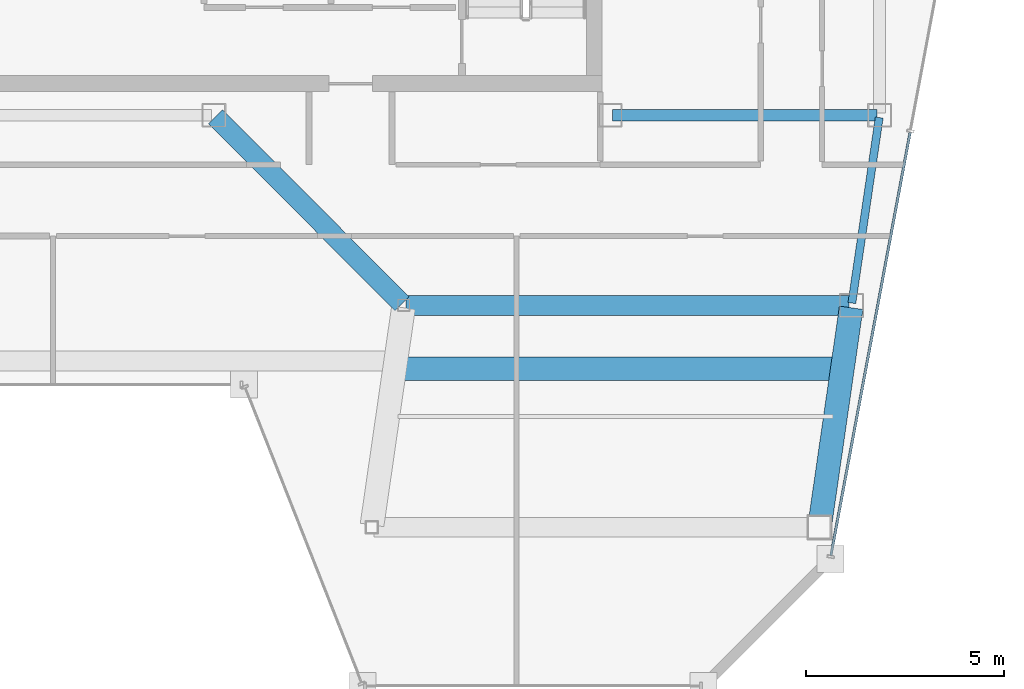
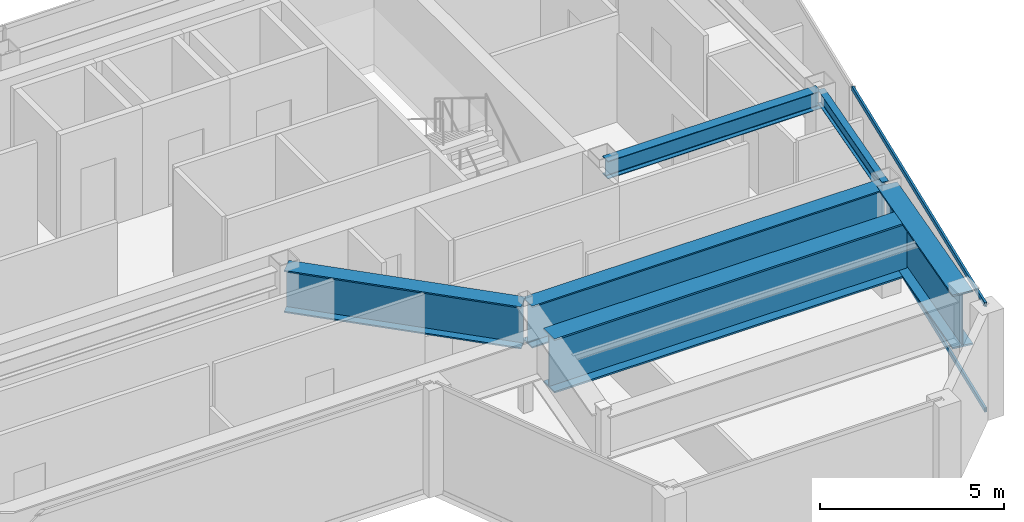
# One storey, part 14 of 23: 6 beams, 2 members, 1 element without a shape of its own.
"""IFC4 building model written with IfcOpenShell, lengths in metres."""

from ifc_helpers import new_model, si_unit, direction, frame, origin, origin_2d, place, context, subcontext, project, spatial, hollow_rectangle, i_section, extrude, material, material_profile, profile_set, type_object, element, aggregate, save


model = new_model("IFC4")

# Units and contexts
model_context = context("Model", 3, precision=1e-05, world=origin(), true_north=direction((0.0, 1.0)))
body_context = subcontext(model_context, "Body", "Model", "MODEL_VIEW")
ifc_project = project(units=[si_unit("LENGTHUNIT", "METRE"), si_unit("AREAUNIT", "SQUARE_METRE"), si_unit("VOLUMEUNIT", "CUBIC_METRE"), si_unit("PLANEANGLEUNIT", "RADIAN"), si_unit("MASSUNIT", "GRAM", prefix="KILO")], contexts=[model_context])

# Site, building, storey
site_placement = place(None, origin())
site = spatial("IfcSite", under=ifc_project, at=site_placement, CompositionType="ELEMENT")
building_placement = place(site_placement, origin())
building = spatial("IfcBuilding", under=site, at=building_placement, Name="Saevonmaru Cultural Tower", CompositionType="ELEMENT")
storey_placement = place(building_placement, frame((0.0, 0.0, 291.39990234375)))
storey = spatial("IfcBuildingStorey", under=building, at=storey_placement, Name="L69", CompositionType="ELEMENT", Elevation=291.39990234375)

# Beams
ifc_material_1 = material(Name="Steel SM355", Category="steel")
ifc_material_profile_1 = material_profile(ifc_material_1, i_section(OverallWidth=0.300048828125, OverallDepth=0.587890625, WebThickness=0.011962890625, FlangeThickness=0.02001953125, FilletRadius=0.02392578125, at=origin_2d()), Name="H-588x300x12x20")
ifc_profile_set_1 = profile_set([ifc_material_profile_1], Name="Steel SM355")
beam_type_1 = type_object("IfcBeamType", Name="BM-G-H588", PredefinedType="BEAM", material=ifc_profile_set_1)
beam_1_placement = place(storey_placement, frame((46.4599609375, 42.39990234375, 3.256103515625), z_axis=(1.0, 0.0, 0.0), x_axis=(0.0, 1.0, 0.0)))
element("IfcBeam", 1, at=beam_1_placement, inside=storey, type_object=beam_type_1, Name="L69 Core South Girder 5", PredefinedType="BEAM", context=body_context, shape_type="SweptSolid", body=[
    extrude(i_section(OverallWidth=0.300048828125, OverallDepth=0.587890625, WebThickness=0.011962890625, FlangeThickness=0.02001953125, FilletRadius=0.02392578125, at=origin_2d()), origin(), (0.0, 0.0, 1.0), 6.679931640625),
])
ifc_material_profile_2 = material_profile(ifc_material_1, i_section(OverallWidth=0.199951171875, OverallDepth=0.449951171875, WebThickness=0.009033203125, FlangeThickness=0.013916015625, FilletRadius=0.01806640625, at=origin_2d()), Name="H-450x200x9x14")
ifc_profile_set_2 = profile_set([ifc_material_profile_2], Name="Steel SM355")
beam_type_2 = type_object("IfcBeamType", Name="BM-SP-H450", PredefinedType="SPANDREL", material=ifc_profile_set_2)
beam_2_placement = place(storey_placement, frame((52.500732421875, 37.659423828125, 3.3251953125), z_axis=(0.145912860028, 0.989297446312, 0.0), x_axis=(-0.989297446312, 0.145912860028, 0.0)))
element("IfcBeam", 2, at=beam_2_placement, inside=storey, type_object=beam_type_2, Name="L69 East Splayed Spandrel 2", PredefinedType="SPANDREL", context=body_context, shape_type="SweptSolid", body=[
    extrude(i_section(OverallWidth=0.199951171875, OverallDepth=0.449951171875, WebThickness=0.009033203125, FlangeThickness=0.013916015625, FilletRadius=0.01806640625, at=origin_2d()), origin(), (0.0, 0.0, 1.0), 4.731689453125),
])
ifc_material_2 = material(Name="Steel HSA600 (600 MPa)", Category="steel")
ifc_material_profile_3 = material_profile(ifc_material_2, i_section(OverallWidth=0.5, OverallDepth=1.39990234375, WebThickness=0.02392578125, FlangeThickness=0.044921875, at=origin_2d()), Name="PG-1400x500x24x45")
ifc_profile_set_3 = profile_set([ifc_material_profile_3], Name="Steel HSA600 (600 MPa)")
beam_type_3 = type_object("IfcBeamType", Name="BM-TG-PG1400", PredefinedType="BEAM", material=ifc_profile_set_3)
beam_3_placement = place(storey_placement, frame((41.149658203125, 37.642578125, 2.85009765625), z_axis=(-0.706538566564, 0.707674539572, 0.0), x_axis=(-0.707674539572, -0.706538566564, 0.0)))
element("IfcBeam", 3, at=beam_3_placement, inside=storey, type_object=beam_type_3, Name="L69 East Atrium Girder 2", PredefinedType="BEAM", context=body_context, shape_type="SweptSolid", body=[
    extrude(i_section(OverallWidth=0.5, OverallDepth=1.39990234375, WebThickness=0.02392578125, FlangeThickness=0.044921875, at=origin_2d()), origin(), (0.0, 0.0, 1.0), 6.662353515625),
])
beam_4_placement = place(storey_placement, frame((41.251953125, 37.60009765625, 2.85009765625), z_axis=(1.0, 0.0, 0.0), x_axis=(0.0, 1.0, 0.0)))
element("IfcBeam", 4, at=beam_4_placement, inside=storey, type_object=beam_type_3, Name="L69 East Wing Transverse Girder 2", PredefinedType="BEAM", context=body_context, shape_type="SweptSolid", body=[
    extrude(i_section(OverallWidth=0.5, OverallDepth=1.39990234375, WebThickness=0.02392578125, FlangeThickness=0.044921875, at=origin_2d()), origin(), (0.0, 0.0, 1.0), 11.179931640625),
])
ifc_material_profile_4 = material_profile(ifc_material_2, i_section(OverallWidth=0.60009765625, OverallDepth=1.800048828125, WebThickness=0.028076171875, FlangeThickness=0.054931640625, at=origin_2d()), Name="PG-1800x600x28x55")
ifc_profile_set_4 = profile_set([ifc_material_profile_4], Name="Steel HSA600 (600 MPa)")
beam_type_4 = type_object("IfcBeamType", Name="BM-TG-PG1800", PredefinedType="BEAM", material=ifc_profile_set_4)
beam_5_placement = place(storey_placement, frame((41.0009765625, 36.0, 2.650146484375), z_axis=(1.0, 0.0, 0.0), x_axis=(0.0, 1.0, 0.0)))
element("IfcBeam", 5, at=beam_5_placement, inside=storey, type_object=beam_type_4, Name="L69 Setback Transfer Plate Girder East", PredefinedType="BEAM", context=body_context, shape_type="SweptSolid", body=[
    extrude(i_section(OverallWidth=0.60009765625, OverallDepth=1.800048828125, WebThickness=0.028076171875, FlangeThickness=0.054931640625, at=origin_2d()), origin(), (0.0, 0.0, 1.0), 11.219970703125),
])
ifc_material_profile_5 = material_profile(ifc_material_2, i_section(OverallWidth=0.60009765625, OverallDepth=1.800048828125, WebThickness=0.028076171875, FlangeThickness=0.054931640625, at=origin_2d()), Name="PG-1800x600x28x55")
ifc_profile_set_5 = profile_set([ifc_material_profile_5], Name="Steel HSA600 (600 MPa)")
beam_type_5 = type_object("IfcBeamType", Name="BM-TG-PG1800-EXT", PredefinedType="SPANDREL", material=ifc_profile_set_5)
beam_6_placement = place(storey_placement, frame((51.691650390625, 32.059326171875, 2.650146484375), z_axis=(0.142964121327, 0.989727871697, 0.0), x_axis=(-0.989727871697, 0.142964121327, 0.0)))
element("IfcBeam", 6, at=beam_6_placement, inside=storey, type_object=beam_type_5, Name="L69 East Splayed Spandrel 1", PredefinedType="SPANDREL", context=body_context, shape_type="SweptSolid", body=[
    extrude(i_section(OverallWidth=0.60009765625, OverallDepth=1.800048828125, WebThickness=0.028076171875, FlangeThickness=0.054931640625, at=origin_2d()), origin(), (0.0, 0.0, 1.0), 5.5380859375),
])

# Curtain wall, members
ifc_material_3 = material(Name="Satin Bronze Anodised Aluminium", Category="aluminium")
curtain_wall_type = type_object("IfcCurtainWallType", Name="CW-TYP-B", PredefinedType="NOTDEFINED", material=ifc_material_3)
curtain_wall_placement = place(storey_placement, origin())
curtain_wall = element("IfcCurtainWall", 7, at=curtain_wall_placement, inside=storey, type_object=curtain_wall_type, Name="L69 Unitised Curtain Wall E8", PredefinedType="NOTDEFINED")
ifc_material_profile_6 = material_profile(ifc_material_3, hollow_rectangle(XDim=0.06494140625, YDim=0.14990234375, WallThickness=0.00390625, at=origin_2d()), Name="ALU-TRAN-150x65x4")
ifc_profile_set_6 = profile_set([ifc_material_profile_6], Name="Satin Bronze Anodised Aluminium")
member_type = type_object("IfcMemberType", Name="TR-CW-150x65", PredefinedType="USERDEFINED", material=ifc_profile_set_6)
member_1_placement = place(storey_placement, frame((51.97265625, 31.291015625, 0.03271484375), z_axis=(0.184051053742, 0.982916684982, 0.0), x_axis=(-0.982916684982, 0.184051053742, 0.0)))
member_1 = element("IfcMember", 8, at=member_1_placement, type_object=member_type, Name="CW-TW-L69-E8 transom 1.1", ObjectType="TRANSOM", PredefinedType="USERDEFINED", context=body_context, shape_type="SweptSolid", body=[
    extrude(hollow_rectangle(XDim=0.06494140625, YDim=0.14990234375, WallThickness=0.00390625, at=origin_2d()), origin(), (0.0, 0.0, 1.0), 10.862548828125),
])
member_2_placement = place(storey_placement, frame((51.97265625, 31.291015625, 3.517578125), z_axis=(0.184051053742, 0.982916684982, 0.0), x_axis=(-0.982916684982, 0.184051053742, 0.0)))
member_2 = element("IfcMember", 9, at=member_2_placement, type_object=member_type, Name="CW-TW-L69-E8 transom 1.2", ObjectType="TRANSOM", PredefinedType="USERDEFINED", context=body_context, shape_type="SweptSolid", body=[
    extrude(hollow_rectangle(XDim=0.06494140625, YDim=0.14990234375, WallThickness=0.00390625, at=origin_2d()), origin(), (0.0, 0.0, 1.0), 10.862548828125),
])
aggregate(curtain_wall, [member_1, member_2])

save(model, "model.ifc")
